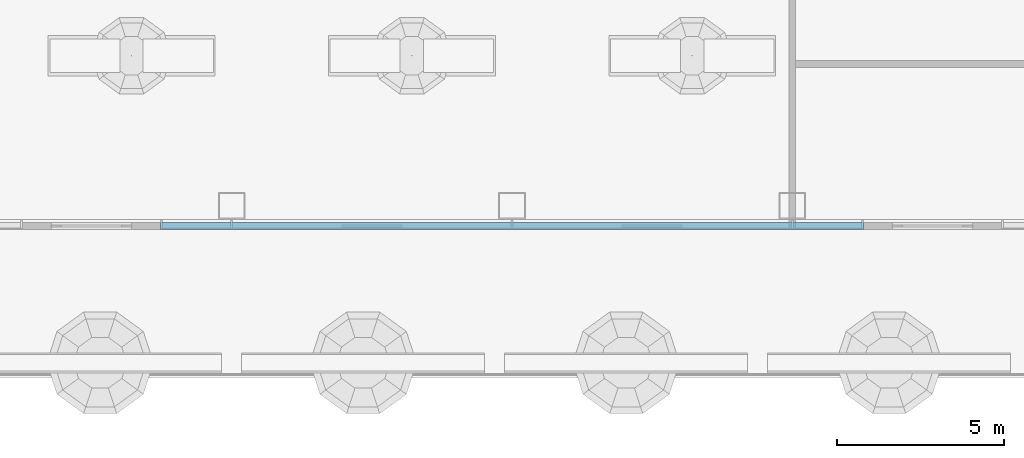
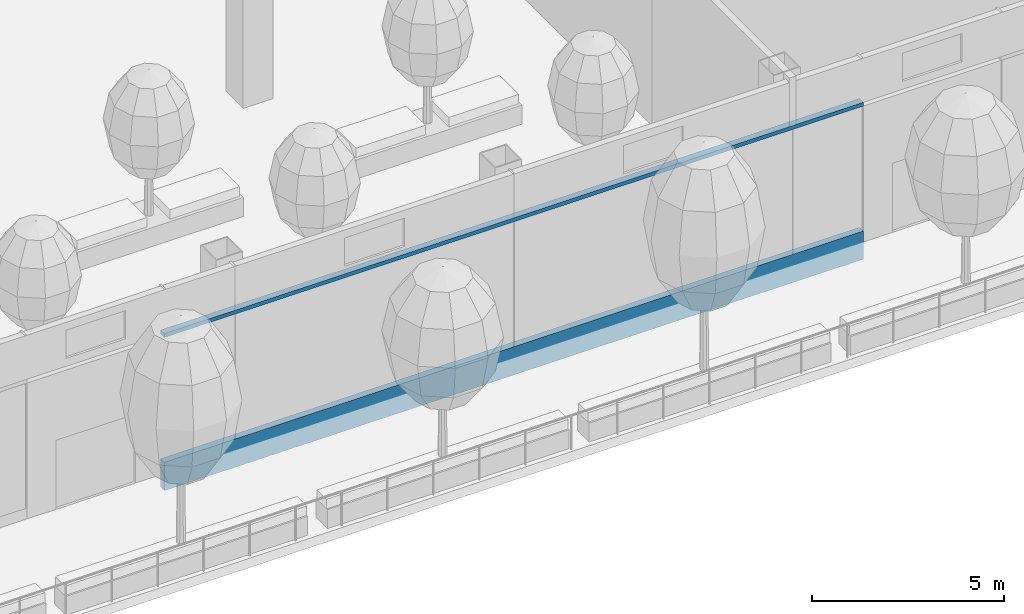
# One storey, part 4 of 44: 2 members, 1 element without a shape of its own.
"""IFC4 building model written with IfcOpenShell, lengths in metres."""

from ifc_helpers import new_model, si_unit, direction, frame, origin, origin_2d, place, context, subcontext, project, spatial, rectangle, extrude, material, layer, layer_set, material_profile, profile_set, type_object, element, aggregate, save


model = new_model("IFC4")

# Units and contexts
model_context = context("Model", 3, precision=1e-05, world=origin(), true_north=direction((0.0, 1.0)))
body_context = subcontext(model_context, "Body", "Model", "MODEL_VIEW")
ifc_project = project(units=[si_unit("LENGTHUNIT", "METRE"), si_unit("AREAUNIT", "SQUARE_METRE"), si_unit("VOLUMEUNIT", "CUBIC_METRE"), si_unit("PLANEANGLEUNIT", "RADIAN"), si_unit("MASSUNIT", "GRAM", prefix="KILO")], contexts=[model_context])

# Site, building, storey
site_placement = place(None, origin())
site = spatial("IfcSite", under=ifc_project, at=site_placement, CompositionType="ELEMENT")
building_placement = place(site_placement, origin())
building = spatial("IfcBuilding", under=site, at=building_placement, Name="Hakoniwa Tower and Hamabe Station Hall", CompositionType="ELEMENT")
storey_placement = place(building_placement, frame((0.0, 0.0, 69.0)))
storey = spatial("IfcBuildingStorey", under=building, at=storey_placement, Name="L19", CompositionType="ELEMENT", Elevation=69.0)

# Curtain wall, members
ifc_material_1 = material(Name="Dark low-e laminated glass", Category="glass")
ifc_layer = layer(ifc_material_1, 0.199951171875)
ifc_layer_set = layer_set([ifc_layer], Name="CW-2 SKY GARDEN")
curtain_wall_type = type_object("IfcCurtainWallType", Name="CW-2 SKY GARDEN", PredefinedType="NOTDEFINED", material=ifc_layer_set)
curtain_wall_placement = place(storey_placement, origin())
curtain_wall = element("IfcCurtainWall", 1, at=curtain_wall_placement, inside=storey, type_object=curtain_wall_type, Name="CW-2 curtain wall", PredefinedType="NOTDEFINED")
ifc_material_2 = material(Name="Aluminium 6063-T5 black anodised", Category="aluminium")
ifc_material_profile_1 = material_profile(ifc_material_2, rectangle(XDim=0.199951171875, YDim=0.1201171875, at=origin_2d()), Name="CW MID TRANSOM 120X200")
ifc_profile_set_1 = profile_set([ifc_material_profile_1], Name="Aluminium 6063-T5 black anodised")
member_type_1 = type_object("IfcMemberType", Name="CW MID TRANSOM 120X200", PredefinedType="USERDEFINED", material=ifc_profile_set_1)
member_1_placement = place(storey_placement, frame((-2.1298828125, -15.449951171875, 4.389892578125), z_axis=(1.0, 0.0, 0.0), x_axis=(0.0, 1.0, 0.0)))
member_1 = element("IfcMember", 2, at=member_1_placement, type_object=member_type_1, Name="CW-2 transom", ObjectType="TRANSOM", PredefinedType="USERDEFINED", context=body_context, shape_type="SweptSolid", body=[
    extrude(rectangle(XDim=0.199951171875, YDim=0.1201171875, at=origin_2d()), origin(), (0.0, 0.0, 1.0), 21.059814453125),
])
ifc_material_3 = material(Name="Aluminium 6063-T5 black anodised", Category="aluminium")
ifc_material_profile_2 = material_profile(ifc_material_3, rectangle(XDim=0.199951171875, YDim=0.89990234375, at=origin_2d()), Name="CW SLAB-EDGE BAND 900X200")
ifc_profile_set_2 = profile_set([ifc_material_profile_2], Name="Aluminium 6063-T5 black anodised")
member_type_2 = type_object("IfcMemberType", Name="CW SLAB-EDGE BAND 900X200", PredefinedType="USERDEFINED", material=ifc_profile_set_2)
member_2_placement = place(storey_placement, frame((-2.1298828125, -15.449951171875, -0.10009765625), z_axis=(1.0, 0.0, 0.0), x_axis=(0.0, 1.0, 0.0)))
member_2 = element("IfcMember", 3, at=member_2_placement, type_object=member_type_2, Name="CW-2 transom", ObjectType="TRANSOM", PredefinedType="USERDEFINED", context=body_context, shape_type="SweptSolid", body=[
    extrude(rectangle(XDim=0.199951171875, YDim=0.89990234375, at=origin_2d()), origin(), (0.0, 0.0, 1.0), 21.059814453125),
])
aggregate(curtain_wall, [member_2, member_1])

save(model, "model.ifc")
